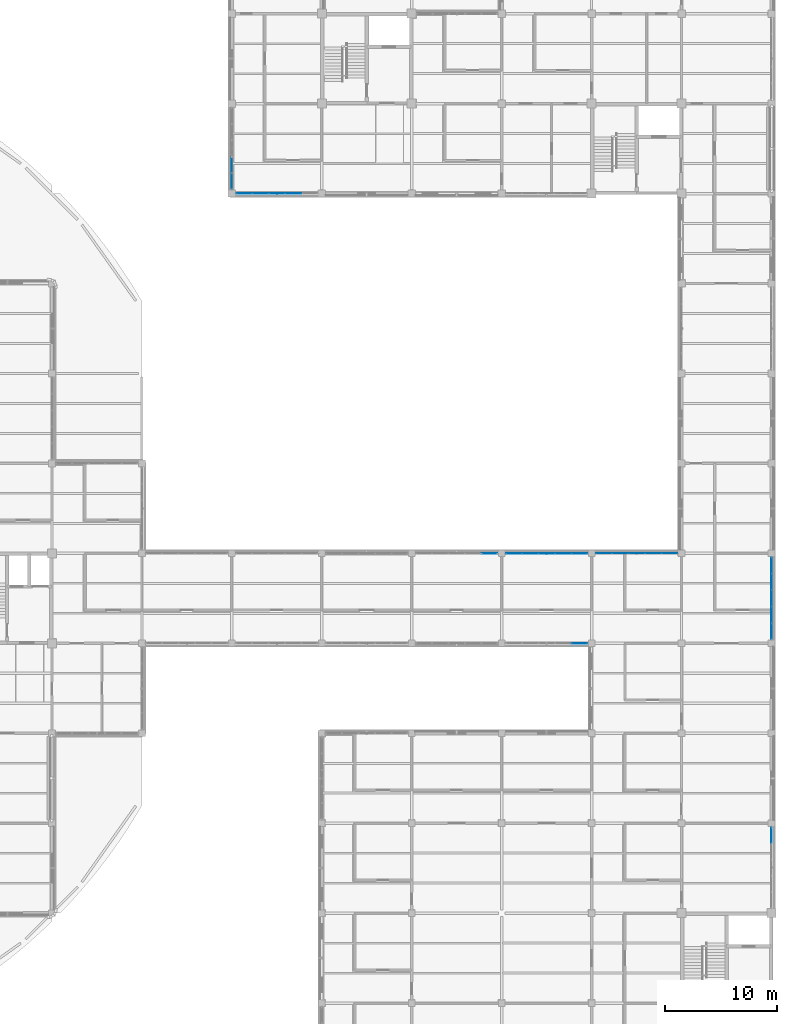
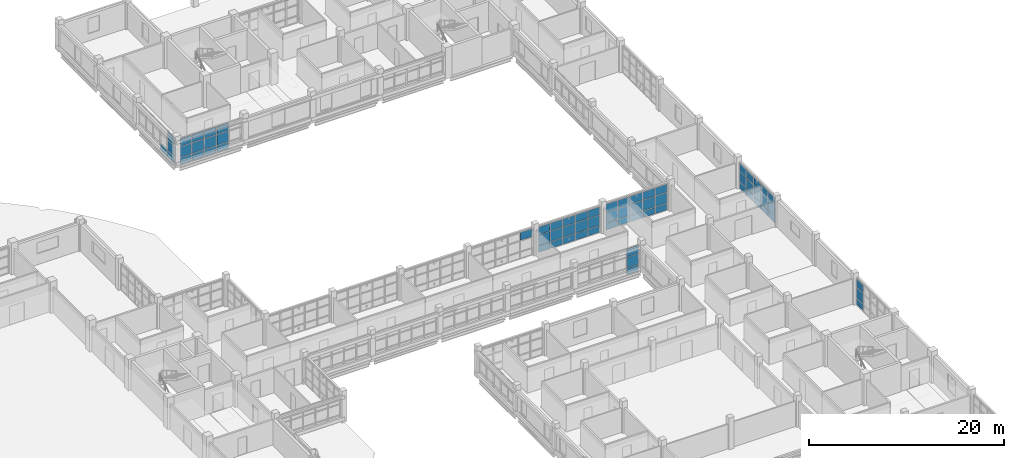
# One storey, part 80 of 126: 68 plates, 8 elements without a shape of their own.
"""IFC4 building model written with IfcOpenShell, lengths in metres."""

from ifc_helpers import new_model, si_unit, derived_unit, direction, frame, origin, origin_2d, place, context, subcontext, project, spatial, rectangle, extrude, material, layer, layer_set, type_object, element, aggregate, save


model = new_model("IFC4")

# Units and contexts
model_context = context("Model", 3, precision=1e-05, world=origin(), true_north=direction((0.0, 1.0)))
body_context = subcontext(model_context, "Body", "Model", "MODEL_VIEW")
ifc_project = project(units=[si_unit("LENGTHUNIT", "METRE"), si_unit("AREAUNIT", "SQUARE_METRE"), si_unit("VOLUMEUNIT", "CUBIC_METRE"), si_unit("PLANEANGLEUNIT", "RADIAN"), si_unit("MASSUNIT", "GRAM", prefix="KILO"), derived_unit("THERMALTRANSMITTANCEUNIT", [(si_unit("MASSUNIT", "GRAM", prefix="KILO"), 1), (si_unit("TIMEUNIT", "SECOND"), -3), (si_unit("THERMODYNAMICTEMPERATUREUNIT", "KELVIN"), -1)])], contexts=[model_context])

# Site, building, storey
site_placement = place(None, origin())
site = spatial("IfcSite", under=ifc_project, at=site_placement, CompositionType="ELEMENT")
building_placement = place(site_placement, origin())
building = spatial("IfcBuilding", under=site, at=building_placement, Name="Veyamyaing Civic Hall", CompositionType="ELEMENT")
storey_placement = place(building_placement, frame((0.0, 0.0, 9.89990234375)))
storey = spatial("IfcBuildingStorey", under=building, at=storey_placement, Name="L02", CompositionType="ELEMENT", Elevation=9.89990234375)

# Curtain wall, plates
ifc_material_1 = material(Name="Anodised aluminium 6063-T6", Category="aluminium")
ifc_layer_1 = layer(ifc_material_1, 0.159912109375, Name="Anodised aluminium 6063-T6")
ifc_layer_set_1 = layer_set([ifc_layer_1], Name="Anodised aluminium 6063-T6")
curtain_wall_type_1 = type_object("IfcCurtainWallType", Name="CW-03", PredefinedType="NOTDEFINED", material=ifc_layer_set_1)
curtain_wall_1_placement = place(storey_placement, origin())
curtain_wall_1 = element("IfcCurtainWall", 1, at=curtain_wall_1_placement, inside=storey, type_object=curtain_wall_type_1, Name="Unitized curtain wall CW-03 L02 S 17.12", PredefinedType="NOTDEFINED")
ifc_material_2 = material(Name="Low-E insulated glass", Category="glass")
ifc_layer_2 = layer(ifc_material_2, 0.028076171875, Name="Low-E insulated glass")
ifc_layer_set_2 = layer_set([ifc_layer_2], Name="Low-E insulated glass")
plate_type_1 = type_object("IfcPlateType", Name="CWP-01", PredefinedType="CURTAIN_PANEL", material=ifc_layer_set_2)
plate_1_placement = place(storey_placement, frame((129.100341796875, 88.0, 0.06494140625), z_axis=(0.0, 0.0, 1.0), x_axis=(1.0, 0.0, 0.0)))
plate_1 = element("IfcPlate", 2, at=plate_1_placement, type_object=plate_type_1, Name="CW-03 panel 1.1", PredefinedType="CURTAIN_PANEL", context=body_context, shape_type="SweptSolid", body=[
    extrude(rectangle(XDim=1.360595703125, YDim=0.028076171875, at=origin_2d()), origin(), (0.0, 0.0, 1.0), 0.802490234375),
])
plate_2_placement = place(storey_placement, frame((129.100341796875, 88.0, 0.9326171875), z_axis=(0.0, 0.0, 1.0), x_axis=(1.0, 0.0, 0.0)))
plate_2 = element("IfcPlate", 3, at=plate_2_placement, type_object=plate_type_1, Name="CW-03 panel 1.2", PredefinedType="CURTAIN_PANEL", context=body_context, shape_type="SweptSolid", body=[
    extrude(rectangle(XDim=1.360595703125, YDim=0.028076171875, at=origin_2d()), origin(), (0.0, 0.0, 1.0), 1.308837890625),
])
plate_3_placement = place(storey_placement, frame((129.100341796875, 88.0, 2.306396484375), z_axis=(0.0, 0.0, 1.0), x_axis=(1.0, 0.0, 0.0)))
plate_3 = element("IfcPlate", 4, at=plate_3_placement, type_object=plate_type_1, Name="CW-03 panel 1.3", PredefinedType="CURTAIN_PANEL", context=body_context, shape_type="SweptSolid", body=[
    extrude(rectangle(XDim=1.360595703125, YDim=0.028076171875, at=origin_2d()), origin(), (0.0, 0.0, 1.0), 0.97265625),
])
plate_4_placement = place(storey_placement, frame((130.5419921875, 88.0, 0.06494140625), z_axis=(0.0, 0.0, 1.0), x_axis=(1.0, 0.0, 0.0)))
plate_4 = element("IfcPlate", 5, at=plate_4_placement, type_object=plate_type_1, Name="CW-03 panel 2.1", PredefinedType="CURTAIN_PANEL", context=body_context, shape_type="SweptSolid", body=[
    extrude(rectangle(XDim=1.39306640625, YDim=0.028076171875, at=origin_2d()), origin(), (0.0, 0.0, 1.0), 0.802490234375),
])
plate_5_placement = place(storey_placement, frame((130.5419921875, 88.0, 0.9326171875), z_axis=(0.0, 0.0, 1.0), x_axis=(1.0, 0.0, 0.0)))
plate_5 = element("IfcPlate", 6, at=plate_5_placement, type_object=plate_type_1, Name="CW-03 panel 2.2", PredefinedType="CURTAIN_PANEL", context=body_context, shape_type="SweptSolid", body=[
    extrude(rectangle(XDim=1.39306640625, YDim=0.028076171875, at=origin_2d()), origin(), (0.0, 0.0, 1.0), 1.308837890625),
])
plate_6_placement = place(storey_placement, frame((130.5419921875, 88.0, 2.306396484375), z_axis=(0.0, 0.0, 1.0), x_axis=(1.0, 0.0, 0.0)))
plate_6 = element("IfcPlate", 7, at=plate_6_placement, type_object=plate_type_1, Name="CW-03 panel 2.3", PredefinedType="CURTAIN_PANEL", context=body_context, shape_type="SweptSolid", body=[
    extrude(rectangle(XDim=1.39306640625, YDim=0.028076171875, at=origin_2d()), origin(), (0.0, 0.0, 1.0), 0.97265625),
])
plate_7_placement = place(storey_placement, frame((132.0, 88.0, 0.06494140625), z_axis=(0.0, 0.0, 1.0), x_axis=(1.0, 0.0, 0.0)))
plate_7 = element("IfcPlate", 8, at=plate_7_placement, type_object=plate_type_1, Name="CW-03 panel 3.1", PredefinedType="CURTAIN_PANEL", context=body_context, shape_type="SweptSolid", body=[
    extrude(rectangle(XDim=1.39306640625, YDim=0.028076171875, at=origin_2d()), origin(), (0.0, 0.0, 1.0), 0.802490234375),
])
plate_8_placement = place(storey_placement, frame((132.0, 88.0, 0.9326171875), z_axis=(0.0, 0.0, 1.0), x_axis=(1.0, 0.0, 0.0)))
plate_8 = element("IfcPlate", 9, at=plate_8_placement, type_object=plate_type_1, Name="CW-03 panel 3.2", PredefinedType="CURTAIN_PANEL", context=body_context, shape_type="SweptSolid", body=[
    extrude(rectangle(XDim=1.39306640625, YDim=0.028076171875, at=origin_2d()), origin(), (0.0, 0.0, 1.0), 1.308837890625),
])
plate_9_placement = place(storey_placement, frame((132.0, 88.0, 2.306396484375), z_axis=(0.0, 0.0, 1.0), x_axis=(1.0, 0.0, 0.0)))
plate_9 = element("IfcPlate", 10, at=plate_9_placement, type_object=plate_type_1, Name="CW-03 panel 3.3", PredefinedType="CURTAIN_PANEL", context=body_context, shape_type="SweptSolid", body=[
    extrude(rectangle(XDim=1.39306640625, YDim=0.028076171875, at=origin_2d()), origin(), (0.0, 0.0, 1.0), 0.97265625),
])
plate_10_placement = place(storey_placement, frame((133.4580078125, 88.0, 0.06494140625), z_axis=(0.0, 0.0, 1.0), x_axis=(1.0, 0.0, 0.0)))
plate_10 = element("IfcPlate", 11, at=plate_10_placement, type_object=plate_type_1, Name="CW-03 panel 4.1", PredefinedType="CURTAIN_PANEL", context=body_context, shape_type="SweptSolid", body=[
    extrude(rectangle(XDim=1.39306640625, YDim=0.028076171875, at=origin_2d()), origin(), (0.0, 0.0, 1.0), 0.802490234375),
])
plate_11_placement = place(storey_placement, frame((133.4580078125, 88.0, 0.9326171875), z_axis=(0.0, 0.0, 1.0), x_axis=(1.0, 0.0, 0.0)))
plate_11 = element("IfcPlate", 12, at=plate_11_placement, type_object=plate_type_1, Name="CW-03 panel 4.2", PredefinedType="CURTAIN_PANEL", context=body_context, shape_type="SweptSolid", body=[
    extrude(rectangle(XDim=1.39306640625, YDim=0.028076171875, at=origin_2d()), origin(), (0.0, 0.0, 1.0), 1.308837890625),
])
plate_12_placement = place(storey_placement, frame((133.4580078125, 88.0, 2.306396484375), z_axis=(0.0, 0.0, 1.0), x_axis=(1.0, 0.0, 0.0)))
plate_12 = element("IfcPlate", 13, at=plate_12_placement, type_object=plate_type_1, Name="CW-03 panel 4.3", PredefinedType="CURTAIN_PANEL", context=body_context, shape_type="SweptSolid", body=[
    extrude(rectangle(XDim=1.39306640625, YDim=0.028076171875, at=origin_2d()), origin(), (0.0, 0.0, 1.0), 0.97265625),
])
aggregate(curtain_wall_1, [plate_1, plate_2, plate_3, plate_4, plate_5, plate_6, plate_7, plate_8, plate_9, plate_10, plate_11, plate_12])

curtain_wall_2_placement = place(storey_placement, origin())
curtain_wall_2 = element("IfcCurtainWall", 14, at=curtain_wall_2_placement, inside=storey, type_object=curtain_wall_type_1, Name="Unitized curtain wall CW-03 L02 W 17.12", PredefinedType="NOTDEFINED")
plate_13_placement = place(storey_placement, frame((128.0, 89.100341796875, 0.06494140625), z_axis=(0.0, 0.0, 1.0), x_axis=(0.0, 1.0, 0.0)))
plate_13 = element("IfcPlate", 15, at=plate_13_placement, type_object=plate_type_1, Name="CW-03 panel 1.1", PredefinedType="CURTAIN_PANEL", context=body_context, shape_type="SweptSolid", body=[
    extrude(rectangle(XDim=1.360595703125, YDim=0.028076171875, at=origin_2d()), origin(), (0.0, 0.0, 1.0), 0.802490234375),
])
plate_14_placement = place(storey_placement, frame((128.0, 89.100341796875, 0.9326171875), z_axis=(0.0, 0.0, 1.0), x_axis=(0.0, 1.0, 0.0)))
plate_14 = element("IfcPlate", 16, at=plate_14_placement, type_object=plate_type_1, Name="CW-03 panel 1.2", PredefinedType="CURTAIN_PANEL", context=body_context, shape_type="SweptSolid", body=[
    extrude(rectangle(XDim=1.360595703125, YDim=0.028076171875, at=origin_2d()), origin(), (0.0, 0.0, 1.0), 1.308837890625),
])
plate_15_placement = place(storey_placement, frame((128.0, 89.100341796875, 2.306396484375), z_axis=(0.0, 0.0, 1.0), x_axis=(0.0, 1.0, 0.0)))
plate_15 = element("IfcPlate", 17, at=plate_15_placement, type_object=plate_type_1, Name="CW-03 panel 1.3", PredefinedType="CURTAIN_PANEL", context=body_context, shape_type="SweptSolid", body=[
    extrude(rectangle(XDim=1.360595703125, YDim=0.028076171875, at=origin_2d()), origin(), (0.0, 0.0, 1.0), 0.97265625),
])
plate_16_placement = place(storey_placement, frame((128.0, 90.5419921875, 0.06494140625), z_axis=(0.0, 0.0, 1.0), x_axis=(0.0, 1.0, 0.0)))
plate_16 = element("IfcPlate", 18, at=plate_16_placement, type_object=plate_type_1, Name="CW-03 panel 2.1", PredefinedType="CURTAIN_PANEL", context=body_context, shape_type="SweptSolid", body=[
    extrude(rectangle(XDim=1.39306640625, YDim=0.028076171875, at=origin_2d()), origin(), (0.0, 0.0, 1.0), 0.802490234375),
])
aggregate(curtain_wall_2, [plate_13, plate_14, plate_15, plate_16])

curtain_wall_3_placement = place(storey_placement, origin())
curtain_wall_3 = element("IfcCurtainWall", 19, at=curtain_wall_3_placement, inside=storey, type_object=curtain_wall_type_1, Name="Unitized curtain wall CW-03 L02 E 22.7", PredefinedType="NOTDEFINED")
plate_17_placement = place(storey_placement, frame((176.0, 49.080322265625, 0.06494140625), z_axis=(0.0, 0.0, 1.0), x_axis=(0.0, 1.0, 0.0)))
plate_17 = element("IfcPlate", 20, at=plate_17_placement, type_object=plate_type_1, Name="CW-03 panel 1.1", PredefinedType="CURTAIN_PANEL", context=body_context, shape_type="SweptSolid", body=[
    extrude(rectangle(XDim=1.37060546875, YDim=0.028076171875, at=origin_2d()), origin(), (0.0, 0.0, 1.0), 0.802490234375),
])
plate_18_placement = place(storey_placement, frame((176.0, 49.080322265625, 0.9326171875), z_axis=(0.0, 0.0, 1.0), x_axis=(0.0, 1.0, 0.0)))
plate_18 = element("IfcPlate", 21, at=plate_18_placement, type_object=plate_type_1, Name="CW-03 panel 1.2", PredefinedType="CURTAIN_PANEL", context=body_context, shape_type="SweptSolid", body=[
    extrude(rectangle(XDim=1.37060546875, YDim=0.028076171875, at=origin_2d()), origin(), (0.0, 0.0, 1.0), 1.26806640625),
])
plate_19_placement = place(storey_placement, frame((176.0, 49.080322265625, 2.265625), z_axis=(0.0, 0.0, 1.0), x_axis=(0.0, 1.0, 0.0)))
plate_19 = element("IfcPlate", 22, at=plate_19_placement, type_object=plate_type_1, Name="CW-03 panel 1.3", PredefinedType="CURTAIN_PANEL", context=body_context, shape_type="SweptSolid", body=[
    extrude(rectangle(XDim=1.37060546875, YDim=0.028076171875, at=origin_2d()), origin(), (0.0, 0.0, 1.0), 0.953369140625),
])
plate_20_placement = place(storey_placement, frame((176.0, 50.531982421875, 0.06494140625), z_axis=(0.0, 0.0, 1.0), x_axis=(0.0, 1.0, 0.0)))
plate_20 = element("IfcPlate", 23, at=plate_20_placement, type_object=plate_type_1, Name="CW-03 panel 2.1", PredefinedType="CURTAIN_PANEL", context=body_context, shape_type="SweptSolid", body=[
    extrude(rectangle(XDim=1.403076171875, YDim=0.028076171875, at=origin_2d()), origin(), (0.0, 0.0, 1.0), 0.802490234375),
])
plate_21_placement = place(storey_placement, frame((176.0, 50.531982421875, 0.9326171875), z_axis=(0.0, 0.0, 1.0), x_axis=(0.0, 1.0, 0.0)))
plate_21 = element("IfcPlate", 24, at=plate_21_placement, type_object=plate_type_1, Name="CW-03 panel 2.2", PredefinedType="CURTAIN_PANEL", context=body_context, shape_type="SweptSolid", body=[
    extrude(rectangle(XDim=1.403076171875, YDim=0.028076171875, at=origin_2d()), origin(), (0.0, 0.0, 1.0), 1.26806640625),
])
plate_22_placement = place(storey_placement, frame((176.0, 50.531982421875, 2.265625), z_axis=(0.0, 0.0, 1.0), x_axis=(0.0, 1.0, 0.0)))
plate_22 = element("IfcPlate", 25, at=plate_22_placement, type_object=plate_type_1, Name="CW-03 panel 2.3", PredefinedType="CURTAIN_PANEL", context=body_context, shape_type="SweptSolid", body=[
    extrude(rectangle(XDim=1.403076171875, YDim=0.028076171875, at=origin_2d()), origin(), (0.0, 0.0, 1.0), 0.953369140625),
])
plate_23_placement = place(storey_placement, frame((176.0, 52.0, 0.06494140625), z_axis=(0.0, 0.0, 1.0), x_axis=(0.0, 1.0, 0.0)))
plate_23 = element("IfcPlate", 26, at=plate_23_placement, type_object=plate_type_1, Name="CW-03 panel 3.1", PredefinedType="CURTAIN_PANEL", context=body_context, shape_type="SweptSolid", body=[
    extrude(rectangle(XDim=1.403076171875, YDim=0.028076171875, at=origin_2d()), origin(), (0.0, 0.0, 1.0), 0.802490234375),
])
plate_24_placement = place(storey_placement, frame((176.0, 52.0, 0.9326171875), z_axis=(0.0, 0.0, 1.0), x_axis=(0.0, 1.0, 0.0)))
plate_24 = element("IfcPlate", 27, at=plate_24_placement, type_object=plate_type_1, Name="CW-03 panel 3.2", PredefinedType="CURTAIN_PANEL", context=body_context, shape_type="SweptSolid", body=[
    extrude(rectangle(XDim=1.403076171875, YDim=0.028076171875, at=origin_2d()), origin(), (0.0, 0.0, 1.0), 1.26806640625),
])
plate_25_placement = place(storey_placement, frame((176.0, 52.0, 2.265625), z_axis=(0.0, 0.0, 1.0), x_axis=(0.0, 1.0, 0.0)))
plate_25 = element("IfcPlate", 28, at=plate_25_placement, type_object=plate_type_1, Name="CW-03 panel 3.3", PredefinedType="CURTAIN_PANEL", context=body_context, shape_type="SweptSolid", body=[
    extrude(rectangle(XDim=1.403076171875, YDim=0.028076171875, at=origin_2d()), origin(), (0.0, 0.0, 1.0), 0.953369140625),
])
plate_26_placement = place(storey_placement, frame((176.0, 53.468017578125, 0.06494140625), z_axis=(0.0, 0.0, 1.0), x_axis=(0.0, 1.0, 0.0)))
plate_26 = element("IfcPlate", 29, at=plate_26_placement, type_object=plate_type_1, Name="CW-03 panel 4.1", PredefinedType="CURTAIN_PANEL", context=body_context, shape_type="SweptSolid", body=[
    extrude(rectangle(XDim=1.403076171875, YDim=0.028076171875, at=origin_2d()), origin(), (0.0, 0.0, 1.0), 0.802490234375),
])
plate_27_placement = place(storey_placement, frame((176.0, 53.468017578125, 0.9326171875), z_axis=(0.0, 0.0, 1.0), x_axis=(0.0, 1.0, 0.0)))
plate_27 = element("IfcPlate", 30, at=plate_27_placement, type_object=plate_type_1, Name="CW-03 panel 4.2", PredefinedType="CURTAIN_PANEL", context=body_context, shape_type="SweptSolid", body=[
    extrude(rectangle(XDim=1.403076171875, YDim=0.028076171875, at=origin_2d()), origin(), (0.0, 0.0, 1.0), 1.26806640625),
])
plate_28_placement = place(storey_placement, frame((176.0, 53.468017578125, 2.265625), z_axis=(0.0, 0.0, 1.0), x_axis=(0.0, 1.0, 0.0)))
plate_28 = element("IfcPlate", 31, at=plate_28_placement, type_object=plate_type_1, Name="CW-03 panel 4.3", PredefinedType="CURTAIN_PANEL", context=body_context, shape_type="SweptSolid", body=[
    extrude(rectangle(XDim=1.403076171875, YDim=0.028076171875, at=origin_2d()), origin(), (0.0, 0.0, 1.0), 0.953369140625),
])
plate_29_placement = place(storey_placement, frame((176.0, 54.919677734375, 0.06494140625), z_axis=(0.0, 0.0, 1.0), x_axis=(0.0, 1.0, 0.0)))
plate_29 = element("IfcPlate", 32, at=plate_29_placement, type_object=plate_type_1, Name="CW-03 panel 5.1", PredefinedType="CURTAIN_PANEL", context=body_context, shape_type="SweptSolid", body=[
    extrude(rectangle(XDim=1.37060546875, YDim=0.028076171875, at=origin_2d()), origin(), (0.0, 0.0, 1.0), 0.802490234375),
])
plate_30_placement = place(storey_placement, frame((176.0, 54.919677734375, 0.9326171875), z_axis=(0.0, 0.0, 1.0), x_axis=(0.0, 1.0, 0.0)))
plate_30 = element("IfcPlate", 33, at=plate_30_placement, type_object=plate_type_1, Name="CW-03 panel 5.2", PredefinedType="CURTAIN_PANEL", context=body_context, shape_type="SweptSolid", body=[
    extrude(rectangle(XDim=1.37060546875, YDim=0.028076171875, at=origin_2d()), origin(), (0.0, 0.0, 1.0), 1.26806640625),
])
plate_31_placement = place(storey_placement, frame((176.0, 54.919677734375, 2.265625), z_axis=(0.0, 0.0, 1.0), x_axis=(0.0, 1.0, 0.0)))
plate_31 = element("IfcPlate", 34, at=plate_31_placement, type_object=plate_type_1, Name="CW-03 panel 5.3", PredefinedType="CURTAIN_PANEL", context=body_context, shape_type="SweptSolid", body=[
    extrude(rectangle(XDim=1.37060546875, YDim=0.028076171875, at=origin_2d()), origin(), (0.0, 0.0, 1.0), 0.953369140625),
])
aggregate(curtain_wall_3, [plate_17, plate_18, plate_19, plate_20, plate_21, plate_22, plate_23, plate_24, plate_25, plate_26, plate_27, plate_28, plate_29, plate_30, plate_31])

# Curtain wall, plate
ifc_layer_3 = layer(ifc_material_1, 0.139892578125, Name="Anodised aluminium 6063-T6")
ifc_layer_set_3 = layer_set([ifc_layer_3], Name="Anodised aluminium 6063-T6")
curtain_wall_type_2 = type_object("IfcCurtainWallType", Name="CW-04", PredefinedType="NOTDEFINED", material=ifc_layer_set_3)
curtain_wall_4_placement = place(storey_placement, origin())
curtain_wall_4 = element("IfcCurtainWall", 35, at=curtain_wall_4_placement, inside=storey, type_object=curtain_wall_type_2, Name="Unitized curtain wall CW-04 L02 N 19.7", PredefinedType="NOTDEFINED")
ifc_layer_4 = layer(ifc_material_2, 0.02392578125, Name="Low-E insulated glass")
ifc_layer_set_4 = layer_set([ifc_layer_4], Name="Low-E insulated glass")
plate_type_2 = type_object("IfcPlateType", Name="CWP-04", PredefinedType="CURTAIN_PANEL", material=ifc_layer_set_4)
plate_32_placement = place(storey_placement, frame((150.9208984375, 56.0, 2.30615234375), z_axis=(0.0, 0.0, 1.0), x_axis=(1.0, 0.0, 0.0)))
plate_32 = element("IfcPlate", 36, at=plate_32_placement, type_object=plate_type_2, Name="CW-04 panel 5.3", PredefinedType="CURTAIN_PANEL", context=body_context, shape_type="SweptSolid", body=[
    extrude(rectangle(XDim=1.3779296875, YDim=0.02392578125, at=origin_2d()), origin(), (0.0, 0.0, 1.0), 0.98095703125),
])
aggregate(curtain_wall_4, [plate_32])

# Curtain wall, plates
curtain_wall_5_placement = place(storey_placement, origin())
curtain_wall_5 = element("IfcCurtainWall", 37, at=curtain_wall_5_placement, inside=storey, type_object=curtain_wall_type_1, Name="Unitized curtain wall CW-03 L02 E 22.4", PredefinedType="NOTDEFINED")
plate_33_placement = place(storey_placement, frame((176.0, 30.9296875, 0.06494140625), z_axis=(0.0, 0.0, 1.0), x_axis=(0.0, 1.0, 0.0)))
plate_33 = element("IfcPlate", 38, at=plate_33_placement, type_object=plate_type_2, Name="CW-03 panel 5.1", PredefinedType="CURTAIN_PANEL", context=body_context, shape_type="SweptSolid", body=[
    extrude(rectangle(XDim=1.3505859375, YDim=0.02392578125, at=origin_2d()), origin(), (0.0, 0.0, 1.0), 0.802490234375),
])
plate_34_placement = place(storey_placement, frame((176.0, 30.9296875, 0.9326171875), z_axis=(0.0, 0.0, 1.0), x_axis=(0.0, 1.0, 0.0)))
plate_34 = element("IfcPlate", 39, at=plate_34_placement, type_object=plate_type_2, Name="CW-03 panel 5.2", PredefinedType="CURTAIN_PANEL", context=body_context, shape_type="SweptSolid", body=[
    extrude(rectangle(XDim=1.3505859375, YDim=0.02392578125, at=origin_2d()), origin(), (0.0, 0.0, 1.0), 1.31103515625),
])
plate_35_placement = place(storey_placement, frame((176.0, 30.9296875, 2.30859375), z_axis=(0.0, 0.0, 1.0), x_axis=(0.0, 1.0, 0.0)))
plate_35 = element("IfcPlate", 40, at=plate_35_placement, type_object=plate_type_2, Name="CW-03 panel 5.3", PredefinedType="CURTAIN_PANEL", context=body_context, shape_type="SweptSolid", body=[
    extrude(rectangle(XDim=1.3505859375, YDim=0.02392578125, at=origin_2d()), origin(), (0.0, 0.0, 1.0), 0.973388671875),
])
aggregate(curtain_wall_5, [plate_33, plate_34, plate_35])

curtain_wall_6_placement = place(storey_placement, origin())
curtain_wall_6 = element("IfcCurtainWall", 41, at=curtain_wall_6_placement, inside=storey, type_object=curtain_wall_type_2, Name="Unitized curtain wall CW-04 L02 S 20.7", PredefinedType="NOTDEFINED")
ifc_layer_5 = layer(ifc_material_2, 0.0400390625, Name="Low-E insulated glass")
ifc_layer_set_5 = layer_set([ifc_layer_5], Name="Low-E insulated glass")
plate_type_3 = type_object("IfcPlateType", Name="CWP-05", PredefinedType="CURTAIN_PANEL", material=ifc_layer_set_5)
plate_36_placement = place(storey_placement, frame((158.9208984375, 48.0, 0.06005859375), z_axis=(0.0, 0.0, 1.0), x_axis=(1.0, 0.0, 0.0)))
plate_36 = element("IfcPlate", 42, at=plate_36_placement, type_object=plate_type_3, Name="CW-04 panel 5.1", PredefinedType="CURTAIN_PANEL", context=body_context, shape_type="SweptSolid", body=[
    extrude(rectangle(XDim=1.3779296875, YDim=0.0400390625, at=origin_2d()), origin(), (0.0, 0.0, 1.0), 0.81005859375),
])
plate_37_placement = place(storey_placement, frame((158.9208984375, 48.0, 0.93017578125), z_axis=(0.0, 0.0, 1.0), x_axis=(1.0, 0.0, 0.0)))
plate_37 = element("IfcPlate", 43, at=plate_37_placement, type_object=plate_type_3, Name="CW-04 panel 5.2", PredefinedType="CURTAIN_PANEL", context=body_context, shape_type="SweptSolid", body=[
    extrude(rectangle(XDim=1.3779296875, YDim=0.0400390625, at=origin_2d()), origin(), (0.0, 0.0, 1.0), 1.31591796875),
])
plate_38_placement = place(storey_placement, frame((158.9208984375, 48.0, 2.30615234375), z_axis=(0.0, 0.0, 1.0), x_axis=(1.0, 0.0, 0.0)))
plate_38 = element("IfcPlate", 44, at=plate_38_placement, type_object=plate_type_3, Name="CW-04 panel 5.3", PredefinedType="CURTAIN_PANEL", context=body_context, shape_type="SweptSolid", body=[
    extrude(rectangle(XDim=1.3779296875, YDim=0.0400390625, at=origin_2d()), origin(), (0.0, 0.0, 1.0), 0.98095703125),
])
aggregate(curtain_wall_6, [plate_36, plate_37, plate_38])

curtain_wall_7_placement = place(storey_placement, origin())
curtain_wall_7 = element("IfcCurtainWall", 45, at=curtain_wall_7_placement, inside=storey, type_object=curtain_wall_type_2, Name="Unitized curtain wall CW-04 L02 N 20.7", PredefinedType="NOTDEFINED")
plate_39_placement = place(storey_placement, frame((153.0791015625, 56.0, 0.06005859375), z_axis=(0.0, 0.0, 1.0), x_axis=(1.0, 0.0, 0.0)))
plate_39 = element("IfcPlate", 46, at=plate_39_placement, type_object=plate_type_3, Name="CW-04 panel 1.1", PredefinedType="CURTAIN_PANEL", context=body_context, shape_type="SweptSolid", body=[
    extrude(rectangle(XDim=1.3779296875, YDim=0.0400390625, at=origin_2d()), origin(), (0.0, 0.0, 1.0), 0.81005859375),
])
plate_40_placement = place(storey_placement, frame((153.0791015625, 56.0, 0.929931640625), z_axis=(0.0, 0.0, 1.0), x_axis=(1.0, 0.0, 0.0)))
plate_40 = element("IfcPlate", 47, at=plate_40_placement, type_object=plate_type_3, Name="CW-04 panel 1.2", PredefinedType="CURTAIN_PANEL", context=body_context, shape_type="SweptSolid", body=[
    extrude(rectangle(XDim=1.3779296875, YDim=0.0400390625, at=origin_2d()), origin(), (0.0, 0.0, 1.0), 1.2705078125),
])
plate_41_placement = place(storey_placement, frame((153.0791015625, 56.0, 2.26025390625), z_axis=(0.0, 0.0, 1.0), x_axis=(1.0, 0.0, 0.0)))
plate_41 = element("IfcPlate", 48, at=plate_41_placement, type_object=plate_type_3, Name="CW-04 panel 1.3", PredefinedType="CURTAIN_PANEL", context=body_context, shape_type="SweptSolid", body=[
    extrude(rectangle(XDim=1.3779296875, YDim=0.0400390625, at=origin_2d()), origin(), (0.0, 0.0, 1.0), 0.959716796875),
])
plate_42_placement = place(storey_placement, frame((154.531982421875, 56.0, 0.06005859375), z_axis=(0.0, 0.0, 1.0), x_axis=(1.0, 0.0, 0.0)))
plate_42 = element("IfcPlate", 49, at=plate_42_placement, type_object=plate_type_3, Name="CW-04 panel 2.1", PredefinedType="CURTAIN_PANEL", context=body_context, shape_type="SweptSolid", body=[
    extrude(rectangle(XDim=1.407958984375, YDim=0.0400390625, at=origin_2d()), origin(), (0.0, 0.0, 1.0), 0.81005859375),
])
plate_43_placement = place(storey_placement, frame((154.531982421875, 56.0, 0.929931640625), z_axis=(0.0, 0.0, 1.0), x_axis=(1.0, 0.0, 0.0)))
plate_43 = element("IfcPlate", 50, at=plate_43_placement, type_object=plate_type_3, Name="CW-04 panel 2.2", PredefinedType="CURTAIN_PANEL", context=body_context, shape_type="SweptSolid", body=[
    extrude(rectangle(XDim=1.407958984375, YDim=0.0400390625, at=origin_2d()), origin(), (0.0, 0.0, 1.0), 1.2705078125),
])
plate_44_placement = place(storey_placement, frame((154.531982421875, 56.0, 2.26025390625), z_axis=(0.0, 0.0, 1.0), x_axis=(1.0, 0.0, 0.0)))
plate_44 = element("IfcPlate", 51, at=plate_44_placement, type_object=plate_type_3, Name="CW-04 panel 2.3", PredefinedType="CURTAIN_PANEL", context=body_context, shape_type="SweptSolid", body=[
    extrude(rectangle(XDim=1.407958984375, YDim=0.0400390625, at=origin_2d()), origin(), (0.0, 0.0, 1.0), 0.959716796875),
])
plate_45_placement = place(storey_placement, frame((156.0, 56.0, 0.06005859375), z_axis=(0.0, 0.0, 1.0), x_axis=(1.0, 0.0, 0.0)))
plate_45 = element("IfcPlate", 52, at=plate_45_placement, type_object=plate_type_3, Name="CW-04 panel 3.1", PredefinedType="CURTAIN_PANEL", context=body_context, shape_type="SweptSolid", body=[
    extrude(rectangle(XDim=1.407958984375, YDim=0.0400390625, at=origin_2d()), origin(), (0.0, 0.0, 1.0), 0.81005859375),
])
plate_46_placement = place(storey_placement, frame((156.0, 56.0, 0.929931640625), z_axis=(0.0, 0.0, 1.0), x_axis=(1.0, 0.0, 0.0)))
plate_46 = element("IfcPlate", 53, at=plate_46_placement, type_object=plate_type_3, Name="CW-04 panel 3.2", PredefinedType="CURTAIN_PANEL", context=body_context, shape_type="SweptSolid", body=[
    extrude(rectangle(XDim=1.407958984375, YDim=0.0400390625, at=origin_2d()), origin(), (0.0, 0.0, 1.0), 1.2705078125),
])
plate_47_placement = place(storey_placement, frame((156.0, 56.0, 2.26025390625), z_axis=(0.0, 0.0, 1.0), x_axis=(1.0, 0.0, 0.0)))
plate_47 = element("IfcPlate", 54, at=plate_47_placement, type_object=plate_type_3, Name="CW-04 panel 3.3", PredefinedType="CURTAIN_PANEL", context=body_context, shape_type="SweptSolid", body=[
    extrude(rectangle(XDim=1.407958984375, YDim=0.0400390625, at=origin_2d()), origin(), (0.0, 0.0, 1.0), 0.959716796875),
])
plate_48_placement = place(storey_placement, frame((157.468017578125, 56.0, 0.06005859375), z_axis=(0.0, 0.0, 1.0), x_axis=(1.0, 0.0, 0.0)))
plate_48 = element("IfcPlate", 55, at=plate_48_placement, type_object=plate_type_3, Name="CW-04 panel 4.1", PredefinedType="CURTAIN_PANEL", context=body_context, shape_type="SweptSolid", body=[
    extrude(rectangle(XDim=1.407958984375, YDim=0.0400390625, at=origin_2d()), origin(), (0.0, 0.0, 1.0), 0.81005859375),
])
plate_49_placement = place(storey_placement, frame((157.468017578125, 56.0, 0.929931640625), z_axis=(0.0, 0.0, 1.0), x_axis=(1.0, 0.0, 0.0)))
plate_49 = element("IfcPlate", 56, at=plate_49_placement, type_object=plate_type_3, Name="CW-04 panel 4.2", PredefinedType="CURTAIN_PANEL", context=body_context, shape_type="SweptSolid", body=[
    extrude(rectangle(XDim=1.407958984375, YDim=0.0400390625, at=origin_2d()), origin(), (0.0, 0.0, 1.0), 1.2705078125),
])
plate_50_placement = place(storey_placement, frame((157.468017578125, 56.0, 2.26025390625), z_axis=(0.0, 0.0, 1.0), x_axis=(1.0, 0.0, 0.0)))
plate_50 = element("IfcPlate", 57, at=plate_50_placement, type_object=plate_type_3, Name="CW-04 panel 4.3", PredefinedType="CURTAIN_PANEL", context=body_context, shape_type="SweptSolid", body=[
    extrude(rectangle(XDim=1.407958984375, YDim=0.0400390625, at=origin_2d()), origin(), (0.0, 0.0, 1.0), 0.959716796875),
])
plate_51_placement = place(storey_placement, frame((158.9208984375, 56.0, 0.06005859375), z_axis=(0.0, 0.0, 1.0), x_axis=(1.0, 0.0, 0.0)))
plate_51 = element("IfcPlate", 58, at=plate_51_placement, type_object=plate_type_3, Name="CW-04 panel 5.1", PredefinedType="CURTAIN_PANEL", context=body_context, shape_type="SweptSolid", body=[
    extrude(rectangle(XDim=1.3779296875, YDim=0.0400390625, at=origin_2d()), origin(), (0.0, 0.0, 1.0), 0.81005859375),
])
plate_52_placement = place(storey_placement, frame((158.9208984375, 56.0, 0.929931640625), z_axis=(0.0, 0.0, 1.0), x_axis=(1.0, 0.0, 0.0)))
plate_52 = element("IfcPlate", 59, at=plate_52_placement, type_object=plate_type_3, Name="CW-04 panel 5.2", PredefinedType="CURTAIN_PANEL", context=body_context, shape_type="SweptSolid", body=[
    extrude(rectangle(XDim=1.3779296875, YDim=0.0400390625, at=origin_2d()), origin(), (0.0, 0.0, 1.0), 1.2705078125),
])
plate_53_placement = place(storey_placement, frame((158.9208984375, 56.0, 2.26025390625), z_axis=(0.0, 0.0, 1.0), x_axis=(1.0, 0.0, 0.0)))
plate_53 = element("IfcPlate", 60, at=plate_53_placement, type_object=plate_type_3, Name="CW-04 panel 5.3", PredefinedType="CURTAIN_PANEL", context=body_context, shape_type="SweptSolid", body=[
    extrude(rectangle(XDim=1.3779296875, YDim=0.0400390625, at=origin_2d()), origin(), (0.0, 0.0, 1.0), 0.959716796875),
])
aggregate(curtain_wall_7, [plate_39, plate_40, plate_41, plate_42, plate_43, plate_44, plate_45, plate_46, plate_47, plate_48, plate_49, plate_50, plate_51, plate_52, plate_53])

curtain_wall_8_placement = place(storey_placement, origin())
curtain_wall_8 = element("IfcCurtainWall", 61, at=curtain_wall_8_placement, inside=storey, type_object=curtain_wall_type_2, Name="Unitized curtain wall CW-04 L02 N 21.7", PredefinedType="NOTDEFINED")
ifc_layer_6 = layer(ifc_material_2, 0.02197265625, Name="Low-E insulated glass")
ifc_layer_set_6 = layer_set([ifc_layer_6], Name="Low-E insulated glass")
plate_type_4 = type_object("IfcPlateType", Name="CWP-06", PredefinedType="CURTAIN_PANEL", material=ifc_layer_set_6)
plate_54_placement = place(storey_placement, frame((161.0791015625, 56.0, 0.06005859375), z_axis=(0.0, 0.0, 1.0), x_axis=(1.0, 0.0, 0.0)))
plate_54 = element("IfcPlate", 62, at=plate_54_placement, type_object=plate_type_4, Name="CW-04 panel 1.1", PredefinedType="CURTAIN_PANEL", context=body_context, shape_type="SweptSolid", body=[
    extrude(rectangle(XDim=1.3779296875, YDim=0.02197265625, at=origin_2d()), origin(), (0.0, 0.0, 1.0), 0.81005859375),
])
plate_55_placement = place(storey_placement, frame((161.0791015625, 56.0, 0.93017578125), z_axis=(0.0, 0.0, 1.0), x_axis=(1.0, 0.0, 0.0)))
plate_55 = element("IfcPlate", 63, at=plate_55_placement, type_object=plate_type_4, Name="CW-04 panel 1.2", PredefinedType="CURTAIN_PANEL", context=body_context, shape_type="SweptSolid", body=[
    extrude(rectangle(XDim=1.3779296875, YDim=0.02197265625, at=origin_2d()), origin(), (0.0, 0.0, 1.0), 1.31396484375),
])
plate_56_placement = place(storey_placement, frame((161.0791015625, 56.0, 2.303955078125), z_axis=(0.0, 0.0, 1.0), x_axis=(1.0, 0.0, 0.0)))
plate_56 = element("IfcPlate", 64, at=plate_56_placement, type_object=plate_type_4, Name="CW-04 panel 1.3", PredefinedType="CURTAIN_PANEL", context=body_context, shape_type="SweptSolid", body=[
    extrude(rectangle(XDim=1.3779296875, YDim=0.02197265625, at=origin_2d()), origin(), (0.0, 0.0, 1.0), 0.97998046875),
])
plate_57_placement = place(storey_placement, frame((162.531982421875, 56.0, 0.06005859375), z_axis=(0.0, 0.0, 1.0), x_axis=(1.0, 0.0, 0.0)))
plate_57 = element("IfcPlate", 65, at=plate_57_placement, type_object=plate_type_4, Name="CW-04 panel 2.1", PredefinedType="CURTAIN_PANEL", context=body_context, shape_type="SweptSolid", body=[
    extrude(rectangle(XDim=1.407958984375, YDim=0.02197265625, at=origin_2d()), origin(), (0.0, 0.0, 1.0), 0.81005859375),
])
plate_58_placement = place(storey_placement, frame((162.531982421875, 56.0, 0.93017578125), z_axis=(0.0, 0.0, 1.0), x_axis=(1.0, 0.0, 0.0)))
plate_58 = element("IfcPlate", 66, at=plate_58_placement, type_object=plate_type_4, Name="CW-04 panel 2.2", PredefinedType="CURTAIN_PANEL", context=body_context, shape_type="SweptSolid", body=[
    extrude(rectangle(XDim=1.407958984375, YDim=0.02197265625, at=origin_2d()), origin(), (0.0, 0.0, 1.0), 1.31396484375),
])
plate_59_placement = place(storey_placement, frame((162.531982421875, 56.0, 2.303955078125), z_axis=(0.0, 0.0, 1.0), x_axis=(1.0, 0.0, 0.0)))
plate_59 = element("IfcPlate", 67, at=plate_59_placement, type_object=plate_type_4, Name="CW-04 panel 2.3", PredefinedType="CURTAIN_PANEL", context=body_context, shape_type="SweptSolid", body=[
    extrude(rectangle(XDim=1.407958984375, YDim=0.02197265625, at=origin_2d()), origin(), (0.0, 0.0, 1.0), 0.97998046875),
])
plate_60_placement = place(storey_placement, frame((164.0, 56.0, 0.06005859375), z_axis=(0.0, 0.0, 1.0), x_axis=(1.0, 0.0, 0.0)))
plate_60 = element("IfcPlate", 68, at=plate_60_placement, type_object=plate_type_4, Name="CW-04 panel 3.1", PredefinedType="CURTAIN_PANEL", context=body_context, shape_type="SweptSolid", body=[
    extrude(rectangle(XDim=1.407958984375, YDim=0.02197265625, at=origin_2d()), origin(), (0.0, 0.0, 1.0), 0.81005859375),
])
plate_61_placement = place(storey_placement, frame((164.0, 56.0, 0.93017578125), z_axis=(0.0, 0.0, 1.0), x_axis=(1.0, 0.0, 0.0)))
plate_61 = element("IfcPlate", 69, at=plate_61_placement, type_object=plate_type_4, Name="CW-04 panel 3.2", PredefinedType="CURTAIN_PANEL", context=body_context, shape_type="SweptSolid", body=[
    extrude(rectangle(XDim=1.407958984375, YDim=0.02197265625, at=origin_2d()), origin(), (0.0, 0.0, 1.0), 1.31396484375),
])
plate_62_placement = place(storey_placement, frame((164.0, 56.0, 2.303955078125), z_axis=(0.0, 0.0, 1.0), x_axis=(1.0, 0.0, 0.0)))
plate_62 = element("IfcPlate", 70, at=plate_62_placement, type_object=plate_type_4, Name="CW-04 panel 3.3", PredefinedType="CURTAIN_PANEL", context=body_context, shape_type="SweptSolid", body=[
    extrude(rectangle(XDim=1.407958984375, YDim=0.02197265625, at=origin_2d()), origin(), (0.0, 0.0, 1.0), 0.97998046875),
])
plate_63_placement = place(storey_placement, frame((165.468017578125, 56.0, 0.06005859375), z_axis=(0.0, 0.0, 1.0), x_axis=(1.0, 0.0, 0.0)))
plate_63 = element("IfcPlate", 71, at=plate_63_placement, type_object=plate_type_4, Name="CW-04 panel 4.1", PredefinedType="CURTAIN_PANEL", context=body_context, shape_type="SweptSolid", body=[
    extrude(rectangle(XDim=1.407958984375, YDim=0.02197265625, at=origin_2d()), origin(), (0.0, 0.0, 1.0), 0.81005859375),
])
plate_64_placement = place(storey_placement, frame((165.468017578125, 56.0, 0.93017578125), z_axis=(0.0, 0.0, 1.0), x_axis=(1.0, 0.0, 0.0)))
plate_64 = element("IfcPlate", 72, at=plate_64_placement, type_object=plate_type_4, Name="CW-04 panel 4.2", PredefinedType="CURTAIN_PANEL", context=body_context, shape_type="SweptSolid", body=[
    extrude(rectangle(XDim=1.407958984375, YDim=0.02197265625, at=origin_2d()), origin(), (0.0, 0.0, 1.0), 1.31396484375),
])
plate_65_placement = place(storey_placement, frame((165.468017578125, 56.0, 2.303955078125), z_axis=(0.0, 0.0, 1.0), x_axis=(1.0, 0.0, 0.0)))
plate_65 = element("IfcPlate", 73, at=plate_65_placement, type_object=plate_type_4, Name="CW-04 panel 4.3", PredefinedType="CURTAIN_PANEL", context=body_context, shape_type="SweptSolid", body=[
    extrude(rectangle(XDim=1.407958984375, YDim=0.02197265625, at=origin_2d()), origin(), (0.0, 0.0, 1.0), 0.97998046875),
])
plate_66_placement = place(storey_placement, frame((166.9208984375, 56.0, 0.06005859375), z_axis=(0.0, 0.0, 1.0), x_axis=(1.0, 0.0, 0.0)))
plate_66 = element("IfcPlate", 74, at=plate_66_placement, type_object=plate_type_4, Name="CW-04 panel 5.1", PredefinedType="CURTAIN_PANEL", context=body_context, shape_type="SweptSolid", body=[
    extrude(rectangle(XDim=1.3779296875, YDim=0.02197265625, at=origin_2d()), origin(), (0.0, 0.0, 1.0), 0.81005859375),
])
plate_67_placement = place(storey_placement, frame((166.9208984375, 56.0, 0.93017578125), z_axis=(0.0, 0.0, 1.0), x_axis=(1.0, 0.0, 0.0)))
plate_67 = element("IfcPlate", 75, at=plate_67_placement, type_object=plate_type_4, Name="CW-04 panel 5.2", PredefinedType="CURTAIN_PANEL", context=body_context, shape_type="SweptSolid", body=[
    extrude(rectangle(XDim=1.3779296875, YDim=0.02197265625, at=origin_2d()), origin(), (0.0, 0.0, 1.0), 1.31396484375),
])
plate_68_placement = place(storey_placement, frame((166.9208984375, 56.0, 2.303955078125), z_axis=(0.0, 0.0, 1.0), x_axis=(1.0, 0.0, 0.0)))
plate_68 = element("IfcPlate", 76, at=plate_68_placement, type_object=plate_type_4, Name="CW-04 panel 5.3", PredefinedType="CURTAIN_PANEL", context=body_context, shape_type="SweptSolid", body=[
    extrude(rectangle(XDim=1.3779296875, YDim=0.02197265625, at=origin_2d()), origin(), (0.0, 0.0, 1.0), 0.97998046875),
])
aggregate(curtain_wall_8, [plate_54, plate_55, plate_56, plate_57, plate_58, plate_59, plate_60, plate_61, plate_62, plate_63, plate_64, plate_65, plate_66, plate_67, plate_68])

save(model, "model.ifc")
